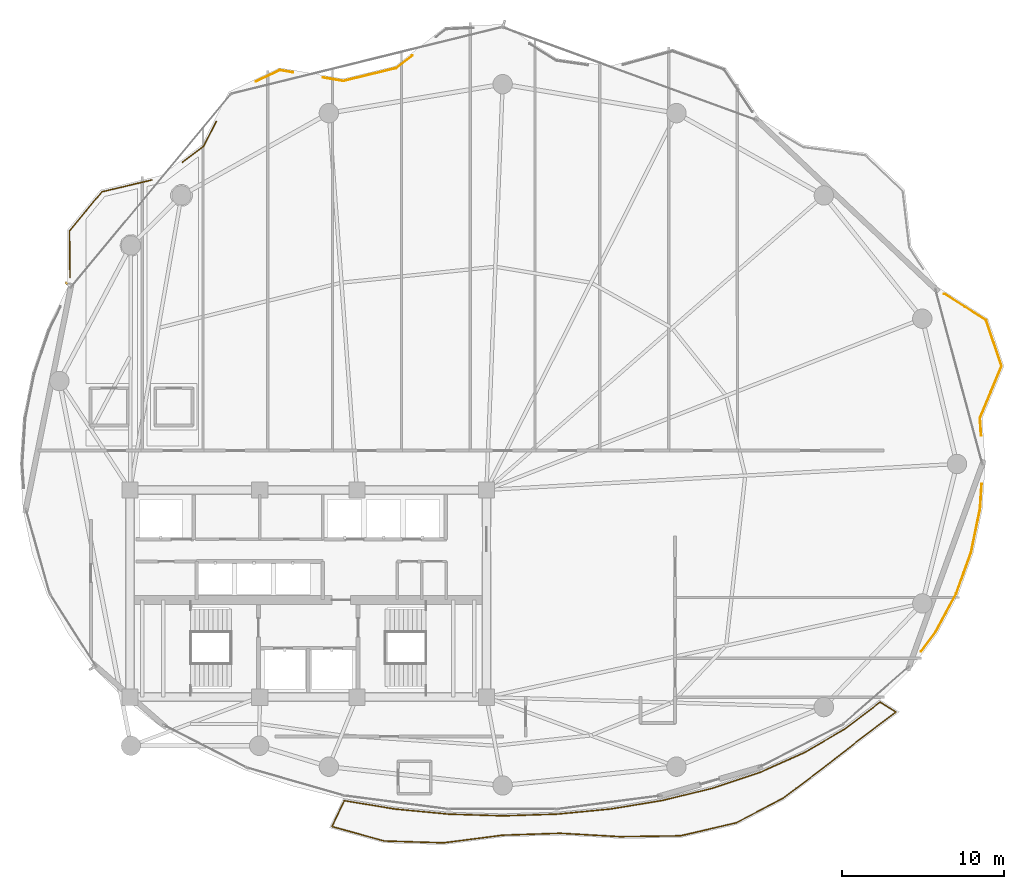
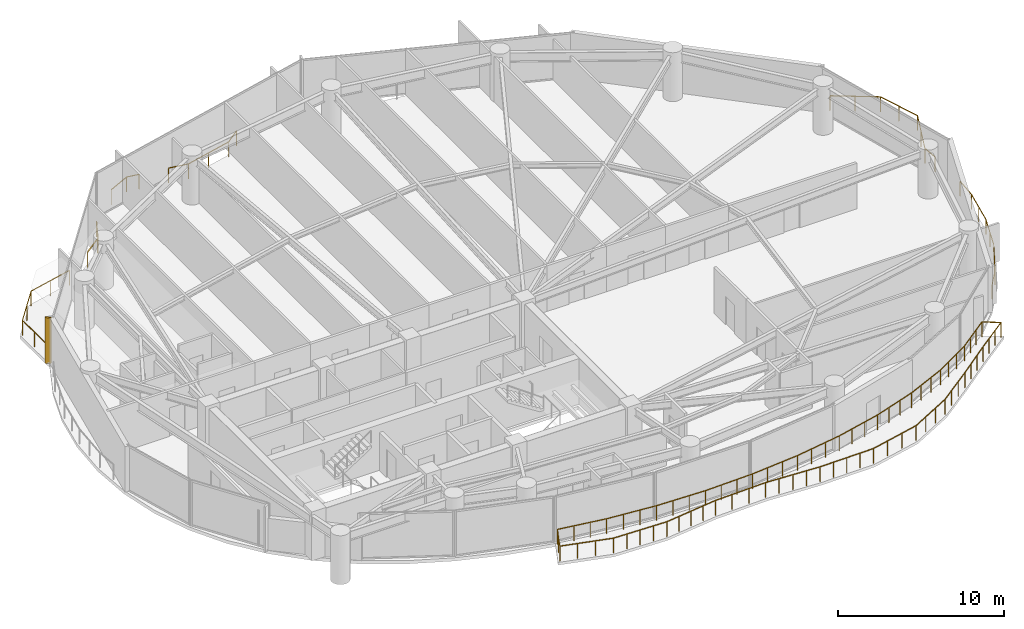
# One storey, part 27 of 28: 7 railings, 1 shading device.
"""IFC4 building model written with IfcOpenShell, lengths in metres."""

from ifc_helpers import new_model, si_unit, direction, frame, origin, origin_2d, place, context, subcontext, project, spatial, rectangle, extrude, material, type_object, element, save


model = new_model("IFC4")

# Units and contexts
model_context = context("Model", 3, precision=1e-05, world=origin(), true_north=direction((0.0, 1.0)))
body_context = subcontext(model_context, "Body", "Model", "MODEL_VIEW")
ifc_project = project(units=[si_unit("LENGTHUNIT", "METRE"), si_unit("AREAUNIT", "SQUARE_METRE"), si_unit("VOLUMEUNIT", "CUBIC_METRE"), si_unit("PLANEANGLEUNIT", "RADIAN"), si_unit("MASSUNIT", "GRAM", prefix="KILO")], contexts=[model_context])

# Site, building, storey
site_placement = place(None, origin())
site = spatial("IfcSite", under=ifc_project, at=site_placement, CompositionType="ELEMENT")
building_placement = place(site_placement, origin())
building = spatial("IfcBuilding", under=site, at=building_placement, Name="Kazevale Care Tower and Concert Hall", CompositionType="ELEMENT")
storey_placement = place(building_placement, frame((0.0, 0.0, 138.60009765625)))
storey = spatial("IfcBuildingStorey", under=building, at=storey_placement, Name="L36", CompositionType="ELEMENT", Elevation=138.60009765625)

# Railings
ifc_material_1 = material(Name="Anodised Bronze Aluminium and Laminated Glass", Category="aluminium")
railing_type = type_object("IfcRailingType", Name="Balcony and Terrace Balustrade 1120", PredefinedType="BALUSTRADE", material=ifc_material_1)
railing_1_placement = place(storey_placement, frame((18.284912109375, 49.514892578125, 0.0)))
element("IfcRailing", 1, at=railing_1_placement, inside=storey, type_object=railing_type, Name="rail:L36:perim:2", PredefinedType="BALUSTRADE", context=body_context, shape_type="SweptSolid", body=[
    extrude(rectangle(XDim=0.048095703125, YDim=0.048095703125, at=origin_2d()), frame((0.0, 0.0, 1.09619140625), z_axis=(-0.009663022595, 0.999953311907, 0.0), x_axis=(-0.999953311907, -0.009663022595, 0.0)), (0.0, 0.0, 1.0), 2.88037109375),
    extrude(rectangle(XDim=0.048095703125, YDim=0.048095703125, at=origin_2d()), frame((-0.02783203125, 2.880126953125, 1.09619140625), z_axis=(0.638670809668, 0.769480082184, 0.0), x_axis=(-0.769480082184, 0.638670809668, 0.0)), (0.0, 0.0, 1.0), 3.128173828125),
    extrude(rectangle(XDim=0.048095703125, YDim=0.048095703125, at=origin_2d()), frame((1.969970703125, 5.287109375, 1.09619140625), z_axis=(0.972887880692, 0.231277261318, 0.0), x_axis=(-0.231277261318, 0.972887880692, 0.0)), (0.0, 0.0, 1.0), 3.173095703125),
    extrude(rectangle(XDim=0.0419921875, YDim=0.0419921875, at=origin_2d()), origin(), (0.0, 0.0, 1.0), 1.072021484375),
    extrude(rectangle(XDim=0.0419921875, YDim=0.0419921875, at=origin_2d()), frame((-0.013916015625, 1.43994140625, 0.0)), (0.0, 0.0, 1.0), 1.072021484375),
    extrude(rectangle(XDim=0.0419921875, YDim=0.0419921875, at=origin_2d()), frame((-0.02783203125, 2.880126953125, 0.0)), (0.0, 0.0, 1.0), 1.072021484375),
    extrude(rectangle(XDim=0.0419921875, YDim=0.0419921875, at=origin_2d()), frame((0.97119140625, 4.08349609375, 0.0)), (0.0, 0.0, 1.0), 1.072021484375),
    extrude(rectangle(XDim=0.0419921875, YDim=0.0419921875, at=origin_2d()), frame((1.969970703125, 5.287109375, 0.0)), (0.0, 0.0, 1.0), 1.072021484375),
    extrude(rectangle(XDim=0.0419921875, YDim=0.0419921875, at=origin_2d()), frame((3.513671875, 5.654052734375, 0.0)), (0.0, 0.0, 1.0), 1.072021484375),
    extrude(rectangle(XDim=0.0419921875, YDim=0.0419921875, at=origin_2d()), frame((5.05712890625, 6.02099609375, 0.0)), (0.0, 0.0, 1.0), 1.072021484375),
])
railing_2_placement = place(storey_placement, frame((25.239013671875, 56.634033203125, 0.0)))
element("IfcRailing", 2, at=railing_2_placement, inside=storey, type_object=railing_type, Name="rail:L36:perim:3", PredefinedType="BALUSTRADE", context=body_context, shape_type="SweptSolid", body=[
    extrude(rectangle(XDim=0.048095703125, YDim=0.048095703125, at=origin_2d()), frame((0.0, 0.0, 1.09619140625), z_axis=(0.797677030582, 0.603084865406, 0.0), x_axis=(-0.603084865406, 0.797677030582, 0.0)), (0.0, 0.0, 1.0), 1.618408203125),
    extrude(rectangle(XDim=0.048095703125, YDim=0.048095703125, at=origin_2d()), frame((1.291015625, 0.97607421875, 1.09619140625), z_axis=(0.456653164706, 0.889644809553, 0.0), x_axis=(-0.889644809553, 0.456653164706, 0.0)), (0.0, 0.0, 1.0), 1.72314453125),
    extrude(rectangle(XDim=0.0419921875, YDim=0.0419921875, at=origin_2d()), origin(), (0.0, 0.0, 1.0), 1.072021484375),
    extrude(rectangle(XDim=0.0419921875, YDim=0.0419921875, at=origin_2d()), frame((1.291015625, 0.97607421875, 0.0)), (0.0, 0.0, 1.0), 1.072021484375),
    extrude(rectangle(XDim=0.0419921875, YDim=0.0419921875, at=origin_2d()), frame((2.077880859375, 2.509033203125, 0.0)), (0.0, 0.0, 1.0), 1.072021484375),
])
railing_3_placement = place(storey_placement, frame((29.77392578125, 61.62109375, 0.0)))
element("IfcRailing", 3, at=railing_3_placement, inside=storey, type_object=railing_type, Name="rail:L36:perim:4", PredefinedType="BALUSTRADE", context=body_context, shape_type="SweptSolid", body=[
    extrude(rectangle(XDim=0.048095703125, YDim=0.048095703125, at=origin_2d()), frame((0.0, 0.0, 1.09619140625), z_axis=(0.904089143641, 0.427343913436, 0.0), x_axis=(-0.427343913436, 0.904089143641, 0.0)), (0.0, 0.0, 1.0), 1.6259765625),
    extrude(rectangle(XDim=0.048095703125, YDim=0.048095703125, at=origin_2d()), frame((1.469970703125, 0.69482421875, 1.09619140625), z_axis=(0.985522864431, -0.169542571894, 0.0), x_axis=(0.169542571894, 0.985522864431, 0.0)), (0.0, 0.0, 1.0), 0.807861328125),
    extrude(rectangle(XDim=0.0419921875, YDim=0.0419921875, at=origin_2d()), origin(), (0.0, 0.0, 1.0), 1.072021484375),
    extrude(rectangle(XDim=0.0419921875, YDim=0.0419921875, at=origin_2d()), frame((1.469970703125, 0.69482421875, 0.0)), (0.0, 0.0, 1.0), 1.072021484375),
    extrude(rectangle(XDim=0.0419921875, YDim=0.0419921875, at=origin_2d()), frame((2.26611328125, 0.557861328125, 0.0)), (0.0, 0.0, 1.0), 1.072021484375),
])
railing_4_placement = place(storey_placement, frame((33.9130859375, 61.85791015625, 0.0)))
element("IfcRailing", 4, at=railing_4_placement, inside=storey, type_object=railing_type, Name="rail:L36:perim:5", PredefinedType="BALUSTRADE", context=body_context, shape_type="SweptSolid", body=[
    extrude(rectangle(XDim=0.048095703125, YDim=0.048095703125, at=origin_2d()), frame((0.0, 0.0, 1.09619140625), z_axis=(0.98554889076, -0.169391215599, 0.0), x_axis=(0.169391215599, 0.98554889076, 0.0)), (0.0, 0.0, 1.0), 1.268310546875),
    extrude(rectangle(XDim=0.048095703125, YDim=0.048095703125, at=origin_2d()), frame((1.25, -0.21484375, 1.09619140625), z_axis=(0.971597725557, 0.236638669056, 0.0), x_axis=(-0.236638669056, 0.971597725557, 0.0)), (0.0, 0.0, 1.0), 3.36328125),
    extrude(rectangle(XDim=0.048095703125, YDim=0.048095703125, at=origin_2d()), frame((4.517822265625, 0.5810546875, 1.09619140625), z_axis=(0.787242218243, 0.616643892224, 0.0), x_axis=(-0.616643892224, 0.787242218243, 0.0)), (0.0, 0.0, 1.0), 1.255126953125),
    extrude(rectangle(XDim=0.0419921875, YDim=0.0419921875, at=origin_2d()), origin(), (0.0, 0.0, 1.0), 1.072021484375),
    extrude(rectangle(XDim=0.0419921875, YDim=0.0419921875, at=origin_2d()), frame((1.25, -0.21484375, 0.0)), (0.0, 0.0, 1.0), 1.072021484375),
    extrude(rectangle(XDim=0.0419921875, YDim=0.0419921875, at=origin_2d()), frame((2.8837890625, 0.18310546875, 0.0)), (0.0, 0.0, 1.0), 1.072021484375),
    extrude(rectangle(XDim=0.0419921875, YDim=0.0419921875, at=origin_2d()), frame((4.517822265625, 0.5810546875, 0.0)), (0.0, 0.0, 1.0), 1.072021484375),
    extrude(rectangle(XDim=0.0419921875, YDim=0.0419921875, at=origin_2d()), frame((5.505859375, 1.35498046875, 0.0)), (0.0, 0.0, 1.0), 1.072021484375),
])
railing_5_placement = place(storey_placement, frame((74.576904296875, 36.76611328125, 0.0)))
element("IfcRailing", 5, at=railing_5_placement, inside=storey, type_object=railing_type, Name="rail:L36:perim:10", PredefinedType="BALUSTRADE", context=body_context, shape_type="SweptSolid", body=[
    extrude(rectangle(XDim=0.048095703125, YDim=0.048095703125, at=origin_2d()), frame((0.0, 0.0, 1.09619140625), z_axis=(-0.066164353261, -0.997808738365, 0.0), x_axis=(0.997808738365, -0.066164353261, 0.0)), (0.0, 0.0, 1.0), 1.553466796875),
    extrude(rectangle(XDim=0.048095703125, YDim=0.048095703125, at=origin_2d()), frame((-0.102783203125, -1.550048828125, 1.09619140625), z_axis=(-0.202611486218, -0.979259202485, 0.0), x_axis=(0.979259202485, -0.202611486218, 0.0)), (0.0, 0.0, 1.0), 2.744873046875),
    extrude(rectangle(XDim=0.048095703125, YDim=0.048095703125, at=origin_2d()), frame((-0.658935546875, -4.238037109375, 1.09619140625), z_axis=(-0.339653342944, -0.940550693279, 0.0), x_axis=(0.940550693279, -0.339653342944, 0.0)), (0.0, 0.0, 1.0), 2.70263671875),
    extrude(rectangle(XDim=0.048095703125, YDim=0.048095703125, at=origin_2d()), frame((-1.576904296875, -6.780029296875, 1.09619140625), z_axis=(-0.473735648305, -0.880667096879, 0.0), x_axis=(0.880667096879, -0.473735648305, 0.0)), (0.0, 0.0, 1.0), 2.6787109375),
    extrude(rectangle(XDim=0.048095703125, YDim=0.048095703125, at=origin_2d()), frame((-2.845947265625, -9.13916015625, 1.09619140625), z_axis=(-0.597990687273, -0.801503049236, 0.0), x_axis=(0.801503049236, -0.597990687273, 0.0)), (0.0, 0.0, 1.0), 1.498291015625),
    extrude(rectangle(XDim=0.0419921875, YDim=0.0419921875, at=origin_2d()), origin(), (0.0, 0.0, 1.0), 1.072021484375),
    extrude(rectangle(XDim=0.0419921875, YDim=0.0419921875, at=origin_2d()), frame((-0.102783203125, -1.550048828125, 0.0)), (0.0, 0.0, 1.0), 1.072021484375),
    extrude(rectangle(XDim=0.0419921875, YDim=0.0419921875, at=origin_2d()), frame((-0.380859375, -2.89404296875, 0.0)), (0.0, 0.0, 1.0), 1.072021484375),
    extrude(rectangle(XDim=0.0419921875, YDim=0.0419921875, at=origin_2d()), frame((-0.658935546875, -4.238037109375, 0.0)), (0.0, 0.0, 1.0), 1.072021484375),
    extrude(rectangle(XDim=0.0419921875, YDim=0.0419921875, at=origin_2d()), frame((-1.117919921875, -5.509033203125, 0.0)), (0.0, 0.0, 1.0), 1.072021484375),
    extrude(rectangle(XDim=0.0419921875, YDim=0.0419921875, at=origin_2d()), frame((-1.576904296875, -6.780029296875, 0.0)), (0.0, 0.0, 1.0), 1.072021484375),
    extrude(rectangle(XDim=0.0419921875, YDim=0.0419921875, at=origin_2d()), frame((-2.21142578125, -7.95947265625, 0.0)), (0.0, 0.0, 1.0), 1.072021484375),
    extrude(rectangle(XDim=0.0419921875, YDim=0.0419921875, at=origin_2d()), frame((-2.845947265625, -9.13916015625, 0.0)), (0.0, 0.0, 1.0), 1.072021484375),
    extrude(rectangle(XDim=0.0419921875, YDim=0.0419921875, at=origin_2d()), frame((-3.741943359375, -10.340087890625, 0.0)), (0.0, 0.0, 1.0), 1.072021484375),
])
railing_6_placement = place(storey_placement, frame((72.26904296875, 48.50390625, 0.0)))
element("IfcRailing", 6, at=railing_6_placement, inside=storey, type_object=railing_type, Name="rail:L36:perim:11", PredefinedType="BALUSTRADE", context=body_context, shape_type="SweptSolid", body=[
    extrude(rectangle(XDim=0.048095703125, YDim=0.048095703125, at=origin_2d()), frame((0.0, 0.0, 1.09619140625), z_axis=(0.845853460202, -0.533415338985, 0.0), x_axis=(0.533415338985, 0.845853460202, 0.0)), (0.0, 0.0, 1.0), 3.0537109375),
    extrude(rectangle(XDim=0.048095703125, YDim=0.048095703125, at=origin_2d()), frame((2.5830078125, -1.62890625, 1.09619140625), z_axis=(0.319318641442, -0.94764740554, 0.0), x_axis=(0.94764740554, 0.319318641442, 0.0)), (0.0, 0.0, 1.0), 2.984130859375),
    extrude(rectangle(XDim=0.048095703125, YDim=0.048095703125, at=origin_2d()), frame((3.535888671875, -4.456787109375, 1.09619140625), z_axis=(-0.384555415187, -0.923101908052, 0.0), x_axis=(0.923101908052, -0.384555415187, 0.0)), (0.0, 0.0, 1.0), 3.468994140625),
    extrude(rectangle(XDim=0.048095703125, YDim=0.048095703125, at=origin_2d()), frame((2.201904296875, -7.658935546875, 1.09619140625), z_axis=(0.06569131841, -0.997839992527, 0.0), x_axis=(0.997839992527, 0.06569131841, 0.0)), (0.0, 0.0, 1.0), 1.096435546875),
    extrude(rectangle(XDim=0.0419921875, YDim=0.0419921875, at=origin_2d()), origin(), (0.0, 0.0, 1.0), 1.072021484375),
    extrude(rectangle(XDim=0.0419921875, YDim=0.0419921875, at=origin_2d()), frame((1.29150390625, -0.814453125, 0.0)), (0.0, 0.0, 1.0), 1.072021484375),
    extrude(rectangle(XDim=0.0419921875, YDim=0.0419921875, at=origin_2d()), frame((2.5830078125, -1.62890625, 0.0)), (0.0, 0.0, 1.0), 1.072021484375),
    extrude(rectangle(XDim=0.0419921875, YDim=0.0419921875, at=origin_2d()), frame((3.0595703125, -3.04296875, 0.0)), (0.0, 0.0, 1.0), 1.072021484375),
    extrude(rectangle(XDim=0.0419921875, YDim=0.0419921875, at=origin_2d()), frame((3.535888671875, -4.456787109375, 0.0)), (0.0, 0.0, 1.0), 1.072021484375),
    extrude(rectangle(XDim=0.0419921875, YDim=0.0419921875, at=origin_2d()), frame((2.868896484375, -6.057861328125, 0.0)), (0.0, 0.0, 1.0), 1.072021484375),
    extrude(rectangle(XDim=0.0419921875, YDim=0.0419921875, at=origin_2d()), frame((2.201904296875, -7.658935546875, 0.0)), (0.0, 0.0, 1.0), 1.072021484375),
    extrude(rectangle(XDim=0.0419921875, YDim=0.0419921875, at=origin_2d()), frame((2.27392578125, -8.7529296875, 0.0)), (0.0, 0.0, 1.0), 1.072021484375),
])
railing_7_placement = place(storey_placement, frame((35.22509765625, 17.2099609375, 0.0)))
element("IfcRailing", 7, at=railing_7_placement, inside=storey, type_object=railing_type, Name="rail:L36:balcony", PredefinedType="BALUSTRADE", context=body_context, shape_type="SweptSolid", body=[
    extrude(rectangle(XDim=0.048095703125, YDim=0.048095703125, at=origin_2d()), frame((0.0, 0.0, 1.09619140625), z_axis=(0.986720826515, -0.162425399869, 0.0), x_axis=(0.162425399869, 0.986720826515, 0.0)), (0.0, 0.0, 1.0), 3.169921875),
    extrude(rectangle(XDim=0.048095703125, YDim=0.048095703125, at=origin_2d()), frame((3.1279296875, -0.514892578125, 1.09619140625), z_axis=(0.995477928413, -0.09499312629, 0.0), x_axis=(0.09499312629, 0.995477928413, 0.0)), (0.0, 0.0, 1.0), 3.31787109375),
    extrude(rectangle(XDim=0.048095703125, YDim=0.048095703125, at=origin_2d()), frame((6.430908203125, -0.830078125, 1.09619140625), z_axis=(0.999507580629, -0.031378276971, 0.0), x_axis=(0.031378276971, 0.999507580629, 0.0)), (0.0, 0.0, 1.0), 3.345703125),
    extrude(rectangle(XDim=0.048095703125, YDim=0.048095703125, at=origin_2d()), frame((9.77490234375, -0.93505859375, 1.09619140625), z_axis=(0.999507580629, 0.031378276971, 0.0), x_axis=(-0.031378276971, 0.999507580629, 0.0)), (0.0, 0.0, 1.0), 3.345703125),
    extrude(rectangle(XDim=0.048095703125, YDim=0.048095703125, at=origin_2d()), frame((13.118896484375, -0.830078125, 1.09619140625), z_axis=(0.995477928413, 0.09499312629, 0.0), x_axis=(-0.09499312629, 0.995477928413, 0.0)), (0.0, 0.0, 1.0), 3.31787109375),
    extrude(rectangle(XDim=0.048095703125, YDim=0.048095703125, at=origin_2d()), frame((16.421875, -0.514892578125, 1.09619140625), z_axis=(0.986673526711, 0.162712481659, 0.0), x_axis=(-0.162712481659, 0.986673526711, 0.0)), (0.0, 0.0, 1.0), 3.263427734375),
    extrude(rectangle(XDim=0.048095703125, YDim=0.048095703125, at=origin_2d()), frame((19.641845703125, 0.01611328125, 1.09619140625), z_axis=(0.971769261323, 0.235933259095, 0.0), x_axis=(-0.235933259095, 0.971769261323, 0.0)), (0.0, 0.0, 1.0), 3.187255859375),
    extrude(rectangle(XDim=0.048095703125, YDim=0.048095703125, at=origin_2d()), frame((22.739013671875, 0.76806640625, 1.09619140625), z_axis=(0.948264523365, 0.317481328155, 0.0), x_axis=(-0.317481328155, 0.948264523365, 0.0)), (0.0, 0.0, 1.0), 3.095947265625),
    extrude(rectangle(XDim=0.048095703125, YDim=0.048095703125, at=origin_2d()), frame((25.6748046875, 1.7509765625, 1.09619140625), z_axis=(0.913377633239, 0.407113373766, 0.0), x_axis=(-0.407113373766, 0.913377633239, 0.0)), (0.0, 0.0, 1.0), 2.99658203125),
    extrude(rectangle(XDim=0.048095703125, YDim=0.048095703125, at=origin_2d()), frame((28.411865234375, 2.970947265625, 1.09619140625), z_axis=(0.863507127078, 0.504336635082, 0.0), x_axis=(-0.504336635082, 0.863507127078, 0.0)), (0.0, 0.0, 1.0), 2.901123046875),
    extrude(rectangle(XDim=0.048095703125, YDim=0.048095703125, at=origin_2d()), frame((30.9169921875, 4.43408203125, 1.09619140625), z_axis=(0.795030778338, 0.606569090455, 0.0), x_axis=(-0.606569090455, 0.795030778338, 0.0)), (0.0, 0.0, 1.0), 2.726806640625),
    extrude(rectangle(XDim=0.048095703125, YDim=0.048095703125, at=origin_2d()), frame((33.0849609375, 6.088134765625, 1.09619140625), z_axis=(0.848022017286, -0.529960996865, 0.0), x_axis=(0.529960996865, 0.848022017286, 0.0)), (0.0, 0.0, 1.0), 1.15673828125),
    extrude(rectangle(XDim=0.048095703125, YDim=0.048095703125, at=origin_2d()), frame((34.06591796875, 5.47509765625, 1.09619140625), z_axis=(-0.798255366779, -0.602319159091, 0.0), x_axis=(0.602319159091, -0.798255366779, 0.0)), (0.0, 0.0, 1.0), 2.776123046875),
    extrude(rectangle(XDim=0.048095703125, YDim=0.048095703125, at=origin_2d()), frame((31.849853515625, 3.802978515625, 1.09619140625), z_axis=(-0.787312551065, -0.616554090843, 0.0), x_axis=(0.616554090843, -0.787312551065, 0.0)), (0.0, 0.0, 1.0), 2.9453125),
    extrude(rectangle(XDim=0.048095703125, YDim=0.048095703125, at=origin_2d()), frame((29.531005859375, 1.987060546875, 1.09619140625), z_axis=(-0.799587512575, -0.600549589738, 0.0), x_axis=(0.600549589738, -0.799587512575, 0.0)), (0.0, 0.0, 1.0), 3.055419921875),
    extrude(rectangle(XDim=0.048095703125, YDim=0.048095703125, at=origin_2d()), frame((27.087890625, 0.152099609375, 1.09619140625), z_axis=(-0.885469496448, -0.464697504685, 0.0), x_axis=(0.464697504685, -0.885469496448, 0.0)), (0.0, 0.0, 1.0), 3.2626953125),
    extrude(rectangle(XDim=0.048095703125, YDim=0.048095703125, at=origin_2d()), frame((24.198974609375, -1.364013671875, 1.09619140625), z_axis=(-0.973763163126, -0.227563841897, 0.0), x_axis=(0.227563841897, -0.973763163126, 0.0)), (0.0, 0.0, 1.0), 3.532958984375),
    extrude(rectangle(XDim=0.048095703125, YDim=0.048095703125, at=origin_2d()), frame((20.7587890625, -2.16796875, 1.09619140625), z_axis=(-0.999895953869, -0.014425028122, 0.0), x_axis=(0.014425028122, -0.999895953869, 0.0)), (0.0, 0.0, 1.0), 3.740478515625),
    extrude(rectangle(XDim=0.048095703125, YDim=0.048095703125, at=origin_2d()), frame((17.018798828125, -2.221923828125, 1.09619140625), z_axis=(-0.998380578852, 0.056887782271, 0.0), x_axis=(-0.056887782271, -0.998380578852, 0.0)), (0.0, 0.0, 1.0), 3.690673828125),
    extrude(rectangle(XDim=0.048095703125, YDim=0.048095703125, at=origin_2d()), frame((13.333984375, -2.011962890625, 1.09619140625), z_axis=(-0.999454652209, -0.033021177715, 0.0), x_axis=(0.033021177715, -0.999454652209, 0.0)), (0.0, 0.0, 1.0), 3.571044921875),
    extrude(rectangle(XDim=0.048095703125, YDim=0.048095703125, at=origin_2d()), frame((9.764892578125, -2.1298828125, 1.09619140625), z_axis=(-0.991714107264, -0.128464506594, 0.0), x_axis=(0.128464506594, -0.991714107264, 0.0)), (0.0, 0.0, 1.0), 3.675537109375),
    extrude(rectangle(XDim=0.048095703125, YDim=0.048095703125, at=origin_2d()), frame((6.119873046875, -2.60205078125, 1.09619140625), z_axis=(-0.99952128946, 0.030938518319, 0.0), x_axis=(-0.030938518319, -0.99952128946, 0.0)), (0.0, 0.0, 1.0), 3.653564453125),
    extrude(rectangle(XDim=0.048095703125, YDim=0.048095703125, at=origin_2d()), frame((2.468017578125, -2.489013671875, 1.09619140625), z_axis=(-0.963890759305, 0.266297961175, 0.0), x_axis=(-0.266297961175, -0.963890759305, 0.0)), (0.0, 0.0, 1.0), 3.349853515625),
    extrude(rectangle(XDim=0.048095703125, YDim=0.048095703125, at=origin_2d()), frame((-0.760986328125, -1.596923828125, 1.09619140625), z_axis=(0.430185353805, 0.902740583651, 0.0), x_axis=(-0.902740583651, 0.430185353805, 0.0)), (0.0, 0.0, 1.0), 1.76904296875),
    extrude(rectangle(XDim=0.0419921875, YDim=0.0419921875, at=origin_2d()), origin(), (0.0, 0.0, 1.0), 1.072021484375),
    extrude(rectangle(XDim=0.0419921875, YDim=0.0419921875, at=origin_2d()), frame((1.042724609375, -0.171630859375, 0.0)), (0.0, 0.0, 1.0), 1.072021484375),
    extrude(rectangle(XDim=0.0419921875, YDim=0.0419921875, at=origin_2d()), frame((2.085205078125, -0.34326171875, 0.0)), (0.0, 0.0, 1.0), 1.072021484375),
    extrude(rectangle(XDim=0.0419921875, YDim=0.0419921875, at=origin_2d()), frame((3.1279296875, -0.514892578125, 0.0)), (0.0, 0.0, 1.0), 1.072021484375),
    extrude(rectangle(XDim=0.0419921875, YDim=0.0419921875, at=origin_2d()), frame((4.22900390625, -0.619873046875, 0.0)), (0.0, 0.0, 1.0), 1.072021484375),
    extrude(rectangle(XDim=0.0419921875, YDim=0.0419921875, at=origin_2d()), frame((5.329833984375, -0.72509765625, 0.0)), (0.0, 0.0, 1.0), 1.072021484375),
    extrude(rectangle(XDim=0.0419921875, YDim=0.0419921875, at=origin_2d()), frame((6.430908203125, -0.830078125, 0.0)), (0.0, 0.0, 1.0), 1.072021484375),
    extrude(rectangle(XDim=0.0419921875, YDim=0.0419921875, at=origin_2d()), frame((7.545654296875, -0.864990234375, 0.0)), (0.0, 0.0, 1.0), 1.072021484375),
    extrude(rectangle(XDim=0.0419921875, YDim=0.0419921875, at=origin_2d()), frame((8.66015625, -0.900146484375, 0.0)), (0.0, 0.0, 1.0), 1.072021484375),
    extrude(rectangle(XDim=0.0419921875, YDim=0.0419921875, at=origin_2d()), frame((9.77490234375, -0.93505859375, 0.0)), (0.0, 0.0, 1.0), 1.072021484375),
    extrude(rectangle(XDim=0.0419921875, YDim=0.0419921875, at=origin_2d()), frame((10.8896484375, -0.900146484375, 0.0)), (0.0, 0.0, 1.0), 1.072021484375),
    extrude(rectangle(XDim=0.0419921875, YDim=0.0419921875, at=origin_2d()), frame((12.004150390625, -0.864990234375, 0.0)), (0.0, 0.0, 1.0), 1.072021484375),
    extrude(rectangle(XDim=0.0419921875, YDim=0.0419921875, at=origin_2d()), frame((13.118896484375, -0.830078125, 0.0)), (0.0, 0.0, 1.0), 1.072021484375),
    extrude(rectangle(XDim=0.0419921875, YDim=0.0419921875, at=origin_2d()), frame((14.219970703125, -0.72509765625, 0.0)), (0.0, 0.0, 1.0), 1.072021484375),
    extrude(rectangle(XDim=0.0419921875, YDim=0.0419921875, at=origin_2d()), frame((15.32080078125, -0.619873046875, 0.0)), (0.0, 0.0, 1.0), 1.072021484375),
    extrude(rectangle(XDim=0.0419921875, YDim=0.0419921875, at=origin_2d()), frame((16.421875, -0.514892578125, 0.0)), (0.0, 0.0, 1.0), 1.072021484375),
    extrude(rectangle(XDim=0.0419921875, YDim=0.0419921875, at=origin_2d()), frame((17.4951171875, -0.337890625, 0.0)), (0.0, 0.0, 1.0), 1.072021484375),
    extrude(rectangle(XDim=0.0419921875, YDim=0.0419921875, at=origin_2d()), frame((18.568603515625, -0.160888671875, 0.0)), (0.0, 0.0, 1.0), 1.072021484375),
    extrude(rectangle(XDim=0.0419921875, YDim=0.0419921875, at=origin_2d()), frame((19.641845703125, 0.01611328125, 0.0)), (0.0, 0.0, 1.0), 1.072021484375),
    extrude(rectangle(XDim=0.0419921875, YDim=0.0419921875, at=origin_2d()), frame((20.67431640625, 0.266845703125, 0.0)), (0.0, 0.0, 1.0), 1.072021484375),
    extrude(rectangle(XDim=0.0419921875, YDim=0.0419921875, at=origin_2d()), frame((21.70654296875, 0.517333984375, 0.0)), (0.0, 0.0, 1.0), 1.072021484375),
    extrude(rectangle(XDim=0.0419921875, YDim=0.0419921875, at=origin_2d()), frame((22.739013671875, 0.76806640625, 0.0)), (0.0, 0.0, 1.0), 1.072021484375),
    extrude(rectangle(XDim=0.0419921875, YDim=0.0419921875, at=origin_2d()), frame((23.717529296875, 1.095703125, 0.0)), (0.0, 0.0, 1.0), 1.072021484375),
    extrude(rectangle(XDim=0.0419921875, YDim=0.0419921875, at=origin_2d()), frame((24.6962890625, 1.42333984375, 0.0)), (0.0, 0.0, 1.0), 1.072021484375),
    extrude(rectangle(XDim=0.0419921875, YDim=0.0419921875, at=origin_2d()), frame((25.6748046875, 1.7509765625, 0.0)), (0.0, 0.0, 1.0), 1.072021484375),
    extrude(rectangle(XDim=0.0419921875, YDim=0.0419921875, at=origin_2d()), frame((26.587158203125, 2.15771484375, 0.0)), (0.0, 0.0, 1.0), 1.072021484375),
    extrude(rectangle(XDim=0.0419921875, YDim=0.0419921875, at=origin_2d()), frame((27.49951171875, 2.564208984375, 0.0)), (0.0, 0.0, 1.0), 1.072021484375),
    extrude(rectangle(XDim=0.0419921875, YDim=0.0419921875, at=origin_2d()), frame((28.411865234375, 2.970947265625, 0.0)), (0.0, 0.0, 1.0), 1.072021484375),
    extrude(rectangle(XDim=0.0419921875, YDim=0.0419921875, at=origin_2d()), frame((29.246826171875, 3.458740234375, 0.0)), (0.0, 0.0, 1.0), 1.072021484375),
    extrude(rectangle(XDim=0.0419921875, YDim=0.0419921875, at=origin_2d()), frame((30.08203125, 3.9462890625, 0.0)), (0.0, 0.0, 1.0), 1.072021484375),
    extrude(rectangle(XDim=0.0419921875, YDim=0.0419921875, at=origin_2d()), frame((30.9169921875, 4.43408203125, 0.0)), (0.0, 0.0, 1.0), 1.072021484375),
    extrude(rectangle(XDim=0.0419921875, YDim=0.0419921875, at=origin_2d()), frame((31.6396484375, 4.9853515625, 0.0)), (0.0, 0.0, 1.0), 1.072021484375),
    extrude(rectangle(XDim=0.0419921875, YDim=0.0419921875, at=origin_2d()), frame((32.3623046875, 5.536865234375, 0.0)), (0.0, 0.0, 1.0), 1.072021484375),
    extrude(rectangle(XDim=0.0419921875, YDim=0.0419921875, at=origin_2d()), frame((33.0849609375, 6.088134765625, 0.0)), (0.0, 0.0, 1.0), 1.072021484375),
    extrude(rectangle(XDim=0.0419921875, YDim=0.0419921875, at=origin_2d()), frame((34.06591796875, 5.47509765625, 0.0)), (0.0, 0.0, 1.0), 1.072021484375),
    extrude(rectangle(XDim=0.0419921875, YDim=0.0419921875, at=origin_2d()), frame((33.3271484375, 4.917724609375, 0.0)), (0.0, 0.0, 1.0), 1.072021484375),
    extrude(rectangle(XDim=0.0419921875, YDim=0.0419921875, at=origin_2d()), frame((32.588623046875, 4.3603515625, 0.0)), (0.0, 0.0, 1.0), 1.072021484375),
    extrude(rectangle(XDim=0.0419921875, YDim=0.0419921875, at=origin_2d()), frame((31.849853515625, 3.802978515625, 0.0)), (0.0, 0.0, 1.0), 1.072021484375),
    extrude(rectangle(XDim=0.0419921875, YDim=0.0419921875, at=origin_2d()), frame((31.076904296875, 3.19775390625, 0.0)), (0.0, 0.0, 1.0), 1.072021484375),
    extrude(rectangle(XDim=0.0419921875, YDim=0.0419921875, at=origin_2d()), frame((30.303955078125, 2.59228515625, 0.0)), (0.0, 0.0, 1.0), 1.072021484375),
    extrude(rectangle(XDim=0.0419921875, YDim=0.0419921875, at=origin_2d()), frame((29.531005859375, 1.987060546875, 0.0)), (0.0, 0.0, 1.0), 1.072021484375),
    extrude(rectangle(XDim=0.0419921875, YDim=0.0419921875, at=origin_2d()), frame((28.716552734375, 1.37548828125, 0.0)), (0.0, 0.0, 1.0), 1.072021484375),
    extrude(rectangle(XDim=0.0419921875, YDim=0.0419921875, at=origin_2d()), frame((27.90234375, 0.763671875, 0.0)), (0.0, 0.0, 1.0), 1.072021484375),
    extrude(rectangle(XDim=0.0419921875, YDim=0.0419921875, at=origin_2d()), frame((27.087890625, 0.152099609375, 0.0)), (0.0, 0.0, 1.0), 1.072021484375),
    extrude(rectangle(XDim=0.0419921875, YDim=0.0419921875, at=origin_2d()), frame((26.125, -0.353271484375, 0.0)), (0.0, 0.0, 1.0), 1.072021484375),
    extrude(rectangle(XDim=0.0419921875, YDim=0.0419921875, at=origin_2d()), frame((25.161865234375, -0.858642578125, 0.0)), (0.0, 0.0, 1.0), 1.072021484375),
    extrude(rectangle(XDim=0.0419921875, YDim=0.0419921875, at=origin_2d()), frame((24.198974609375, -1.364013671875, 0.0)), (0.0, 0.0, 1.0), 1.072021484375),
    extrude(rectangle(XDim=0.0419921875, YDim=0.0419921875, at=origin_2d()), frame((23.05224609375, -1.632080078125, 0.0)), (0.0, 0.0, 1.0), 1.072021484375),
    extrude(rectangle(XDim=0.0419921875, YDim=0.0419921875, at=origin_2d()), frame((21.905517578125, -1.89990234375, 0.0)), (0.0, 0.0, 1.0), 1.072021484375),
    extrude(rectangle(XDim=0.0419921875, YDim=0.0419921875, at=origin_2d()), frame((20.7587890625, -2.16796875, 0.0)), (0.0, 0.0, 1.0), 1.072021484375),
    extrude(rectangle(XDim=0.0419921875, YDim=0.0419921875, at=origin_2d()), frame((19.82373046875, -2.181396484375, 0.0)), (0.0, 0.0, 1.0), 1.072021484375),
    extrude(rectangle(XDim=0.0419921875, YDim=0.0419921875, at=origin_2d()), frame((18.888671875, -2.19482421875, 0.0)), (0.0, 0.0, 1.0), 1.072021484375),
    extrude(rectangle(XDim=0.0419921875, YDim=0.0419921875, at=origin_2d()), frame((17.953857421875, -2.20849609375, 0.0)), (0.0, 0.0, 1.0), 1.072021484375),
    extrude(rectangle(XDim=0.0419921875, YDim=0.0419921875, at=origin_2d()), frame((17.018798828125, -2.221923828125, 0.0)), (0.0, 0.0, 1.0), 1.072021484375),
    extrude(rectangle(XDim=0.0419921875, YDim=0.0419921875, at=origin_2d()), frame((16.09765625, -2.16943359375, 0.0)), (0.0, 0.0, 1.0), 1.072021484375),
    extrude(rectangle(XDim=0.0419921875, YDim=0.0419921875, at=origin_2d()), frame((15.17626953125, -2.116943359375, 0.0)), (0.0, 0.0, 1.0), 1.072021484375),
    extrude(rectangle(XDim=0.0419921875, YDim=0.0419921875, at=origin_2d()), frame((14.255126953125, -2.064453125, 0.0)), (0.0, 0.0, 1.0), 1.072021484375),
    extrude(rectangle(XDim=0.0419921875, YDim=0.0419921875, at=origin_2d()), frame((13.333984375, -2.011962890625, 0.0)), (0.0, 0.0, 1.0), 1.072021484375),
    extrude(rectangle(XDim=0.0419921875, YDim=0.0419921875, at=origin_2d()), frame((12.144287109375, -2.05126953125, 0.0)), (0.0, 0.0, 1.0), 1.072021484375),
    extrude(rectangle(XDim=0.0419921875, YDim=0.0419921875, at=origin_2d()), frame((10.95458984375, -2.090576171875, 0.0)), (0.0, 0.0, 1.0), 1.072021484375),
    extrude(rectangle(XDim=0.0419921875, YDim=0.0419921875, at=origin_2d()), frame((9.764892578125, -2.1298828125, 0.0)), (0.0, 0.0, 1.0), 1.072021484375),
    extrude(rectangle(XDim=0.0419921875, YDim=0.0419921875, at=origin_2d()), frame((8.853515625, -2.248046875, 0.0)), (0.0, 0.0, 1.0), 1.072021484375),
    extrude(rectangle(XDim=0.0419921875, YDim=0.0419921875, at=origin_2d()), frame((7.9423828125, -2.365966796875, 0.0)), (0.0, 0.0, 1.0), 1.072021484375),
    extrude(rectangle(XDim=0.0419921875, YDim=0.0419921875, at=origin_2d()), frame((7.03125, -2.48388671875, 0.0)), (0.0, 0.0, 1.0), 1.072021484375),
    extrude(rectangle(XDim=0.0419921875, YDim=0.0419921875, at=origin_2d()), frame((6.119873046875, -2.60205078125, 0.0)), (0.0, 0.0, 1.0), 1.072021484375),
    extrude(rectangle(XDim=0.0419921875, YDim=0.0419921875, at=origin_2d()), frame((5.20703125, -2.57373046875, 0.0)), (0.0, 0.0, 1.0), 1.072021484375),
    extrude(rectangle(XDim=0.0419921875, YDim=0.0419921875, at=origin_2d()), frame((4.2939453125, -2.54541015625, 0.0)), (0.0, 0.0, 1.0), 1.072021484375),
    extrude(rectangle(XDim=0.0419921875, YDim=0.0419921875, at=origin_2d()), frame((3.380859375, -2.517333984375, 0.0)), (0.0, 0.0, 1.0), 1.072021484375),
    extrude(rectangle(XDim=0.0419921875, YDim=0.0419921875, at=origin_2d()), frame((2.468017578125, -2.489013671875, 0.0)), (0.0, 0.0, 1.0), 1.072021484375),
    extrude(rectangle(XDim=0.0419921875, YDim=0.0419921875, at=origin_2d()), frame((1.3916015625, -2.191650390625, 0.0)), (0.0, 0.0, 1.0), 1.072021484375),
    extrude(rectangle(XDim=0.0419921875, YDim=0.0419921875, at=origin_2d()), frame((0.3154296875, -1.894287109375, 0.0)), (0.0, 0.0, 1.0), 1.072021484375),
    extrude(rectangle(XDim=0.0419921875, YDim=0.0419921875, at=origin_2d()), frame((-0.760986328125, -1.596923828125, 0.0)), (0.0, 0.0, 1.0), 1.072021484375),
    extrude(rectangle(XDim=0.0419921875, YDim=0.0419921875, at=origin_2d()), frame((-0.38037109375, -0.79833984375, 0.0)), (0.0, 0.0, 1.0), 1.072021484375),
])

# Shading device
ifc_material_2 = material(Name="Honed Ochre Limestone", Category="masonry")
shading_device_type = type_object("IfcShadingDeviceType", Name="Vertical Honed Limestone Fin FIN-01", PredefinedType="USERDEFINED", material=ifc_material_2)
shading_device_placement = place(storey_placement, frame((18.14501953125, 49.099853515625, 0.0), z_axis=(0.0, 0.0, 1.0), x_axis=(-0.770068049148, 0.637961754089, 0.0)))
element("IfcShadingDevice", 8, at=shading_device_placement, inside=storey, type_object=shading_device_type, Name="cw:L36:f14:fin", ObjectType="FIN", PredefinedType="USERDEFINED", context=body_context, shape_type="SweptSolid", body=[
    extrude(rectangle(XDim=0.3798828125, YDim=0.1201171875, at=origin_2d()), origin(), (0.0, 0.0, 1.0), 3.360107421875),
])

save(model, "model.ifc")
